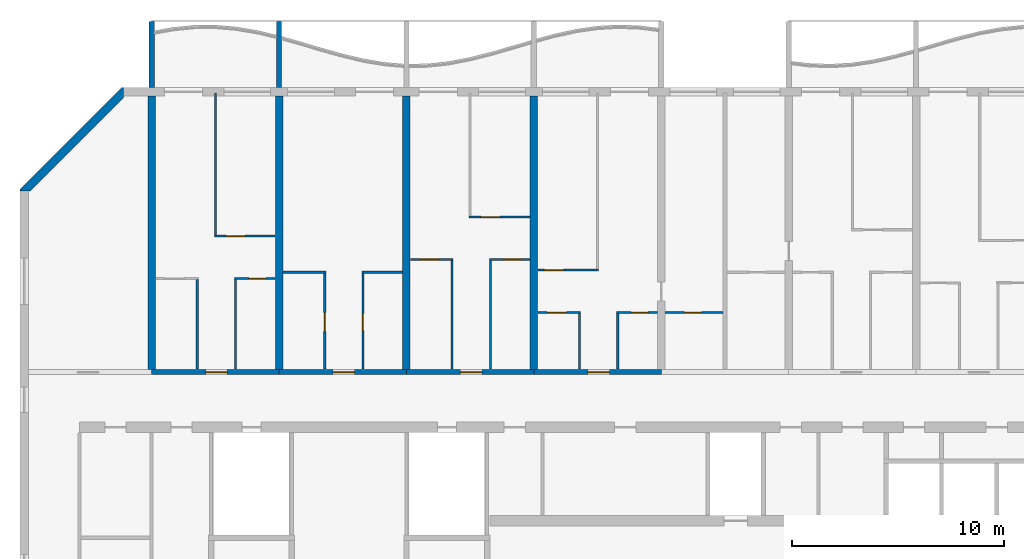
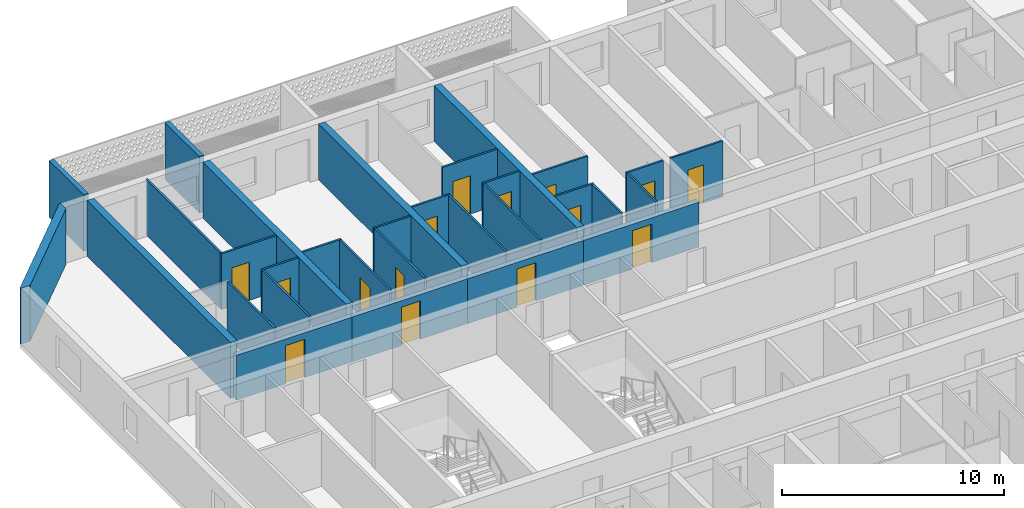
# One storey, part 9 of 24: 31 walls, 15 doors, 15 openings.
"""IFC4 building model written with IfcOpenShell, lengths in metres."""

from ifc_helpers import new_model, si_unit, direction, frame, frame_2d, origin, place, context, subcontext, project, spatial, polyline, rectangle, outline, extrude, source, transform, mapped, material, layer, layer_set, type_object, element, fill, save


model = new_model("IFC4")

# Units and contexts
model_context = context("Model", 3, precision=1e-05, world=origin(), true_north=direction((0.0, 1.0)))
body_context = subcontext(model_context, "Body", "Model", "MODEL_VIEW")
ifc_project = project(units=[si_unit("LENGTHUNIT", "METRE"), si_unit("AREAUNIT", "SQUARE_METRE"), si_unit("VOLUMEUNIT", "CUBIC_METRE"), si_unit("PLANEANGLEUNIT", "RADIAN"), si_unit("MASSUNIT", "GRAM", prefix="KILO")], contexts=[model_context])

# Site, building, storey
site_placement = place(None, origin())
site = spatial("IfcSite", under=ifc_project, at=site_placement, CompositionType="ELEMENT")
building_placement = place(site_placement, origin())
building = spatial("IfcBuilding", under=site, at=building_placement, Name="Poui Terraces", CompositionType="ELEMENT")
storey_placement = place(building_placement, frame((0.0, 0.0, 109.199951171875)))
storey = spatial("IfcBuildingStorey", under=building, at=storey_placement, Name="L30", CompositionType="ELEMENT", Elevation=109.199951171875)

# Wall, opening, door
ifc_material_1 = material(Name="Concrete 65 MPa", Category="concrete")
ifc_layer_1 = layer(ifc_material_1, 0.25)
ifc_layer_set_1 = layer_set([ifc_layer_1], Name="Concrete 65 MPa")
wall_type_1 = type_object("IfcWallType", Name="CORRIDOR WALL 250 65MPa", PredefinedType="SHEAR", material=ifc_layer_set_1)
wall_1_placement = place(storey_placement, frame((18.0, 30.39990234375, 0.0), z_axis=(0.0, 0.0, 1.0), x_axis=(1.0, 0.0, 0.0)))
wall_1 = element("IfcWall", 1, at=wall_1_placement, inside=storey, type_object=wall_type_1, Name="CORRIDOR WALL LINE E BAY 2", PredefinedType="SHEAR", context=body_context, shape_type="SweptSolid", body=[
    extrude(rectangle(XDim=6.0, YDim=0.25, at=frame_2d((3.0, 0.0))), origin(), (0.0, 0.0, 1.0), 2.4599609375),
])
opening_1_placement = place(wall_1_placement, frame((2.550048828125, 0.0, 0.0)))
opening_1 = element("IfcOpeningElement", 2, at=opening_1_placement, cuts=wall_1, Name="Opening FD30S", PredefinedType="OPENING", context=body_context, shape_type="SweptSolid", body=[
    extrude(rectangle(XDim=1.0, YDim=2.10009765625, at=frame_2d((0.5, 1.050048828125))), frame((0.0, 0.135009765625, 0.0), z_axis=(0.0, -1.0, 0.0), x_axis=(1.0, 0.0, 0.0)), (0.0, 0.0, 1.0), 0.27001953125),
])
ifc_material_2 = material(Name="Steel fire door", Category="steel")
door_type_1 = type_object("IfcDoorType", Name="FLAT ENTRANCE DOOR 1000 X 2100", OperationType="NOTDEFINED", PredefinedType="DOOR", material=ifc_material_2)
door_1_placement = place(opening_1_placement, origin())
door_1 = element("IfcDoor", 3, at=door_1_placement, inside=storey, type_object=door_type_1, Name="FLAT ENTRANCE DOOR 032", OperationType="SINGLE_SWING_RIGHT", OverallHeight=2.10009765625, OverallWidth=1.0, PredefinedType="DOOR", context=body_context, shape_type="SweptSolid", body=[
    extrude(rectangle(XDim=1.0, YDim=2.10009765625, at=frame_2d((0.5, 1.050048828125))), frame((0.0, 0.02490234375, 0.0), z_axis=(0.0, -1.0, 0.0), x_axis=(1.0, 0.0, 0.0)), (0.0, 0.0, 1.0), 0.050048828125),
])
fill(opening_1, door_1)

wall_2_placement = place(storey_placement, frame((24.0, 30.39990234375, 0.0), z_axis=(0.0, 0.0, 1.0), x_axis=(1.0, 0.0, 0.0)))
wall_2 = element("IfcWall", 4, at=wall_2_placement, inside=storey, type_object=wall_type_1, Name="CORRIDOR WALL LINE E BAY 3", PredefinedType="SHEAR", context=body_context, shape_type="SweptSolid", body=[
    extrude(rectangle(XDim=6.0, YDim=0.25, at=frame_2d((3.0, 0.0))), origin(), (0.0, 0.0, 1.0), 2.4599609375),
])
opening_2_placement = place(wall_2_placement, frame((2.550048828125, 0.0, 0.0)))
opening_2 = element("IfcOpeningElement", 5, at=opening_2_placement, cuts=wall_2, Name="Opening FD30S", PredefinedType="OPENING", context=body_context, shape_type="SweptSolid", body=[
    extrude(rectangle(XDim=1.0, YDim=2.10009765625, at=frame_2d((0.5, 1.050048828125))), frame((0.0, 0.135009765625, 0.0), z_axis=(0.0, -1.0, 0.0), x_axis=(1.0, 0.0, 0.0)), (0.0, 0.0, 1.0), 0.27001953125),
])
door_2_placement = place(opening_2_placement, origin())
door_2 = element("IfcDoor", 6, at=door_2_placement, inside=storey, type_object=door_type_1, Name="FLAT ENTRANCE DOOR 036", OperationType="SINGLE_SWING_RIGHT", OverallHeight=2.10009765625, OverallWidth=1.0, PredefinedType="DOOR", context=body_context, shape_type="SweptSolid", body=[
    extrude(rectangle(XDim=1.0, YDim=2.10009765625, at=frame_2d((0.5, 1.050048828125))), frame((0.0, 0.02490234375, 0.0), z_axis=(0.0, -1.0, 0.0), x_axis=(1.0, 0.0, 0.0)), (0.0, 0.0, 1.0), 0.050048828125),
])
fill(opening_2, door_2)

wall_3_placement = place(storey_placement, frame((30.0, 30.39990234375, 0.0), z_axis=(0.0, 0.0, 1.0), x_axis=(1.0, 0.0, 0.0)))
wall_3 = element("IfcWall", 7, at=wall_3_placement, inside=storey, type_object=wall_type_1, Name="CORRIDOR WALL LINE E BAY 4", PredefinedType="SHEAR", context=body_context, shape_type="SweptSolid", body=[
    extrude(rectangle(XDim=6.0, YDim=0.25, at=frame_2d((3.0, 0.0))), origin(), (0.0, 0.0, 1.0), 2.4599609375),
])
opening_3_placement = place(wall_3_placement, frame((2.550048828125, 0.0, 0.0)))
opening_3 = element("IfcOpeningElement", 8, at=opening_3_placement, cuts=wall_3, Name="Opening FD30S", PredefinedType="OPENING", context=body_context, shape_type="SweptSolid", body=[
    extrude(rectangle(XDim=1.0, YDim=2.10009765625, at=frame_2d((0.5, 1.050048828125))), frame((0.0, 0.135009765625, 0.0), z_axis=(0.0, -1.0, 0.0), x_axis=(1.0, 0.0, 0.0)), (0.0, 0.0, 1.0), 0.27001953125),
])
door_3_placement = place(opening_3_placement, origin())
door_3 = element("IfcDoor", 9, at=door_3_placement, inside=storey, type_object=door_type_1, Name="FLAT ENTRANCE DOOR 039", OperationType="SINGLE_SWING_RIGHT", OverallHeight=2.10009765625, OverallWidth=1.0, PredefinedType="DOOR", context=body_context, shape_type="SweptSolid", body=[
    extrude(rectangle(XDim=1.0, YDim=2.10009765625, at=frame_2d((0.5, 1.050048828125))), frame((0.0, 0.02490234375, 0.0), z_axis=(0.0, -1.0, 0.0), x_axis=(1.0, 0.0, 0.0)), (0.0, 0.0, 1.0), 0.050048828125),
])
fill(opening_3, door_3)

wall_4_placement = place(storey_placement, frame((36.0, 30.39990234375, 0.0), z_axis=(0.0, 0.0, 1.0), x_axis=(1.0, 0.0, 0.0)))
wall_4 = element("IfcWall", 10, at=wall_4_placement, inside=storey, type_object=wall_type_1, Name="CORRIDOR WALL LINE E BAY 5", PredefinedType="SHEAR", context=body_context, shape_type="SweptSolid", body=[
    extrude(rectangle(XDim=6.0, YDim=0.25, at=frame_2d((3.0, 0.0))), origin(), (0.0, 0.0, 1.0), 2.4599609375),
])
opening_4_placement = place(wall_4_placement, frame((2.550048828125, 0.0, 0.0)))
opening_4 = element("IfcOpeningElement", 11, at=opening_4_placement, cuts=wall_4, Name="Opening FD30S", PredefinedType="OPENING", context=body_context, shape_type="SweptSolid", body=[
    extrude(rectangle(XDim=1.0, YDim=2.10009765625, at=frame_2d((0.5, 1.050048828125))), frame((0.0, 0.135009765625, 0.0), z_axis=(0.0, -1.0, 0.0), x_axis=(1.0, 0.0, 0.0)), (0.0, 0.0, 1.0), 0.27001953125),
])
door_4_placement = place(opening_4_placement, origin())
door_4 = element("IfcDoor", 12, at=door_4_placement, inside=storey, type_object=door_type_1, Name="FLAT ENTRANCE DOOR 045", OperationType="SINGLE_SWING_RIGHT", OverallHeight=2.10009765625, OverallWidth=1.0, PredefinedType="DOOR", context=body_context, shape_type="SweptSolid", body=[
    extrude(rectangle(XDim=1.0, YDim=2.10009765625, at=frame_2d((0.5, 1.050048828125))), frame((0.0, 0.02490234375, 0.0), z_axis=(0.0, -1.0, 0.0), x_axis=(1.0, 0.0, 0.0)), (0.0, 0.0, 1.0), 0.050048828125),
])
fill(opening_4, door_4)

# Walls
ifc_layer_2 = layer(ifc_material_1, 0.35009765625)
ifc_layer_set_2 = layer_set([ifc_layer_2], Name="Concrete 65 MPa")
wall_type_2 = type_object("IfcWallType", Name="CROSS WALL 350 65MPa", PredefinedType="SHEAR", material=ifc_layer_set_2)
for number, where, z_axis, x_axis, name in (
    (13, (18.0, 30.52490234375, 0.0), (0.0, 0.0, 1.0), (0.0, 1.0, 0.0), "CROSS WALL LINE 4 NORTH"),
    (14, (24.0, 30.52490234375, 0.0), (0.0, 0.0, 1.0), (0.0, 1.0, 0.0), "CROSS WALL LINE 5 NORTH"),
    (15, (30.0, 30.52490234375, 0.0), (0.0, 0.0, 1.0), (0.0, 1.0, 0.0), "CROSS WALL LINE 6 NORTH"),
    (16, (36.0, 30.52490234375, 0.0), (0.0, 0.0, 1.0), (0.0, 1.0, 0.0), "CROSS WALL LINE 7 NORTH"),
):
    element("IfcWall", number, at=place(storey_placement, frame(where, z_axis=z_axis, x_axis=x_axis)), inside=storey, type_object=wall_type_2, Name=name, PredefinedType="SHEAR", context=body_context, shape_type="SweptSolid", body=[
        extrude(rectangle(XDim=12.875, YDim=0.35009765625, at=frame_2d((6.4375, 0.0))), origin(), (0.0, 0.0, 1.0), 3.06005859375),
    ])

# Wall, opening, door
ifc_material_3 = material(Name="Plasterboard partition")
ifc_layer_3 = layer(ifc_material_3, 0.10009765625)
ifc_layer_set_3 = layer_set([ifc_layer_3], Name="Plasterboard partition")
wall_type_3 = type_object("IfcWallType", Name="FLAT PARTITION 100", PredefinedType="PARTITIONING", material=ifc_layer_set_3)
wall_5_placement = place(storey_placement, frame((36.18505859375, 33.199951171875, 0.0), z_axis=(0.0, 0.0, 1.0), x_axis=(1.0, 0.0, 0.0)))
wall_5 = element("IfcWall", 17, at=wall_5_placement, inside=storey, type_object=wall_type_3, Name="FLAT PARTITION 100", PredefinedType="PARTITIONING", context=body_context, shape_type="SweptSolid", body=[
    extrude(rectangle(XDim=2.014892578125, YDim=0.10009765625, at=frame_2d((1.00732421875, 0.0))), origin(), (0.0, 0.0, 1.0), 3.06005859375),
])
opening_5_placement = place(wall_5_placement, frame((0.43994140625, 0.0, 0.0)))
opening_5 = element("IfcOpeningElement", 18, at=opening_5_placement, cuts=wall_5, Name="Opening D90", PredefinedType="OPENING", context=body_context, shape_type="SweptSolid", body=[
    extrude(rectangle(XDim=0.89990234375, YDim=2.10009765625, at=frame_2d((0.449951171875, 1.050048828125))), frame((0.0, 0.06005859375, 0.0), z_axis=(0.0, -1.0, 0.0), x_axis=(1.0, 0.0, 0.0)), (0.0, 0.0, 1.0), 0.1201171875),
])
ifc_material_4 = material(Name="Solid core timber door", Category="wood")
door_type_2 = type_object("IfcDoorType", Name="INTERNAL DOOR 900 X 2100", OperationType="NOTDEFINED", PredefinedType="DOOR", material=ifc_material_4)
door_5_placement = place(opening_5_placement, frame((0.89990234375, 0.0, 0.0), z_axis=(0.0, 0.0, 1.0), x_axis=(-1.0, 0.0, 0.0)))
door_5 = element("IfcDoor", 19, at=door_5_placement, inside=storey, type_object=door_type_2, Name="INTERNAL DOOR 044", OperationType="SINGLE_SWING_RIGHT", OverallHeight=2.10009765625, OverallWidth=0.89990234375, PredefinedType="DOOR", context=body_context, shape_type="SweptSolid", body=[
    extrude(rectangle(XDim=0.89990234375, YDim=2.10009765625, at=frame_2d((0.449951171875, 1.050048828125))), frame((0.0, 0.02490234375, 0.0), z_axis=(0.0, -1.0, 0.0), x_axis=(1.0, 0.0, 0.0)), (0.0, 0.0, 1.0), 0.050048828125),
])
fill(opening_5, door_5)

wall_6_placement = place(storey_placement, frame((39.89990234375, 33.199951171875, 0.0), z_axis=(0.0, 0.0, 1.0), x_axis=(1.0, 0.0, 0.0)))
wall_6 = element("IfcWall", 20, at=wall_6_placement, inside=storey, type_object=wall_type_3, Name="FLAT PARTITION 100", PredefinedType="PARTITIONING", context=body_context, shape_type="SweptSolid", body=[
    extrude(rectangle(XDim=1.9150390625, YDim=0.10009765625, at=frame_2d((0.95751953125, 0.0))), origin(), (0.0, 0.0, 1.0), 3.06005859375),
])
opening_6_placement = place(wall_6_placement, frame((0.675048828125, 0.0, 0.0)))
opening_6 = element("IfcOpeningElement", 21, at=opening_6_placement, cuts=wall_6, Name="Opening D80", PredefinedType="OPENING", context=body_context, shape_type="SweptSolid", body=[
    extrude(rectangle(XDim=0.800048828125, YDim=2.10009765625, at=frame_2d((0.39990234375, 1.050048828125))), frame((0.0, 0.06005859375, 0.0), z_axis=(0.0, -1.0, 0.0), x_axis=(1.0, 0.0, 0.0)), (0.0, 0.0, 1.0), 0.1201171875),
])
door_type_3 = type_object("IfcDoorType", Name="BATHROOM, LAUNDRY AND STORE DOOR 800 X 2100", OperationType="NOTDEFINED", PredefinedType="DOOR", material=ifc_material_4)
door_6_placement = place(opening_6_placement, frame((0.800048828125, 0.0, 0.0), z_axis=(0.0, 0.0, 1.0), x_axis=(-1.0, 0.0, 0.0)))
door_6 = element("IfcDoor", 22, at=door_6_placement, inside=storey, type_object=door_type_3, Name="BATHROOM, LAUNDRY AND STORE DOOR 046", OperationType="SINGLE_SWING_LEFT", OverallHeight=2.10009765625, OverallWidth=0.800048828125, PredefinedType="DOOR", context=body_context, shape_type="SweptSolid", body=[
    extrude(rectangle(XDim=0.800048828125, YDim=2.10009765625, at=frame_2d((0.39990234375, 1.050048828125))), frame((0.0, 0.02490234375, 0.0), z_axis=(0.0, -1.0, 0.0), x_axis=(1.0, 0.0, 0.0)), (0.0, 0.0, 1.0), 0.050048828125),
])
fill(opening_6, door_6)

wall_7_placement = place(storey_placement, frame((42.18505859375, 33.199951171875, 0.0), z_axis=(0.0, 0.0, 1.0), x_axis=(1.0, 0.0, 0.0)))
wall_7 = element("IfcWall", 23, at=wall_7_placement, inside=storey, type_object=wall_type_3, Name="FLAT PARTITION 100", PredefinedType="PARTITIONING", context=body_context, shape_type="SweptSolid", body=[
    extrude(rectangle(XDim=2.71484375, YDim=0.10009765625, at=frame_2d((1.357421875, 0.0))), origin(), (0.0, 0.0, 1.0), 3.06005859375),
])
opening_7_placement = place(wall_7_placement, frame((0.9150390625, 0.0, 0.0)))
opening_7 = element("IfcOpeningElement", 24, at=opening_7_placement, cuts=wall_7, Name="Opening D80", PredefinedType="OPENING", context=body_context, shape_type="SweptSolid", body=[
    extrude(rectangle(XDim=0.800048828125, YDim=2.10009765625, at=frame_2d((0.39990234375, 1.050048828125))), frame((0.0, 0.06005859375, 0.0), z_axis=(0.0, -1.0, 0.0), x_axis=(1.0, 0.0, 0.0)), (0.0, 0.0, 1.0), 0.1201171875),
])
door_7_placement = place(opening_7_placement, frame((0.800048828125, 0.0, 0.0), z_axis=(0.0, 0.0, 1.0), x_axis=(-1.0, 0.0, 0.0)))
door_7 = element("IfcDoor", 25, at=door_7_placement, inside=storey, type_object=door_type_3, Name="BATHROOM, LAUNDRY AND STORE DOOR 042", OperationType="SINGLE_SWING_RIGHT", OverallHeight=2.10009765625, OverallWidth=0.800048828125, PredefinedType="DOOR", context=body_context, shape_type="SweptSolid", body=[
    extrude(rectangle(XDim=0.800048828125, YDim=2.10009765625, at=frame_2d((0.39990234375, 1.050048828125))), frame((0.0, 0.02490234375, 0.0), z_axis=(0.0, -1.0, 0.0), x_axis=(1.0, 0.0, 0.0)), (0.0, 0.0, 1.0), 0.050048828125),
])
fill(opening_7, door_7)

wall_8_placement = place(storey_placement, frame((21.89990234375, 34.800048828125, 0.0), z_axis=(0.0, 0.0, 1.0), x_axis=(1.0, 0.0, 0.0)))
wall_8 = element("IfcWall", 26, at=wall_8_placement, inside=storey, type_object=wall_type_3, Name="FLAT PARTITION 100", PredefinedType="PARTITIONING", context=body_context, shape_type="SweptSolid", body=[
    extrude(rectangle(XDim=1.9150390625, YDim=0.10009765625, at=frame_2d((0.95751953125, 0.0))), origin(), (0.0, 0.0, 1.0), 3.06005859375),
])
opening_8_placement = place(wall_8_placement, frame((0.675048828125, 0.0, 0.0)))
opening_8 = element("IfcOpeningElement", 27, at=opening_8_placement, cuts=wall_8, Name="Opening D80", PredefinedType="OPENING", context=body_context, shape_type="SweptSolid", body=[
    extrude(rectangle(XDim=0.800048828125, YDim=2.10009765625, at=frame_2d((0.39990234375, 1.050048828125))), frame((0.0, 0.06005859375, 0.0), z_axis=(0.0, -1.0, 0.0), x_axis=(1.0, 0.0, 0.0)), (0.0, 0.0, 1.0), 0.1201171875),
])
door_8_placement = place(opening_8_placement, frame((0.800048828125, 0.0, 0.0), z_axis=(0.0, 0.0, 1.0), x_axis=(-1.0, 0.0, 0.0)))
door_8 = element("IfcDoor", 28, at=door_8_placement, inside=storey, type_object=door_type_3, Name="BATHROOM, LAUNDRY AND STORE DOOR 034", OperationType="SINGLE_SWING_RIGHT", OverallHeight=2.10009765625, OverallWidth=0.800048828125, PredefinedType="DOOR", context=body_context, shape_type="SweptSolid", body=[
    extrude(rectangle(XDim=0.800048828125, YDim=2.10009765625, at=frame_2d((0.39990234375, 1.050048828125))), frame((0.0, 0.02490234375, 0.0), z_axis=(0.0, -1.0, 0.0), x_axis=(1.0, 0.0, 0.0)), (0.0, 0.0, 1.0), 0.050048828125),
])
fill(opening_8, door_8)

# Walls
wall_9_placement = place(storey_placement, frame((24.18505859375, 35.10009765625, 0.0), z_axis=(0.0, 0.0, 1.0), x_axis=(1.0, 0.0, 0.0)))
element("IfcWall", 29, at=wall_9_placement, inside=storey, type_object=wall_type_3, Name="FLAT PARTITION 100", PredefinedType="PARTITIONING", context=body_context, shape_type="SweptSolid", body=[
    extrude(rectangle(XDim=2.014892578125, YDim=0.10009765625, at=frame_2d((1.00732421875, 0.0))), origin(), (0.0, 0.0, 1.0), 3.06005859375),
])
wall_10_placement = place(storey_placement, frame((27.89990234375, 35.10009765625, 0.0), z_axis=(0.0, 0.0, 1.0), x_axis=(1.0, 0.0, 0.0)))
element("IfcWall", 30, at=wall_10_placement, inside=storey, type_object=wall_type_3, Name="FLAT PARTITION 100", PredefinedType="PARTITIONING", context=body_context, shape_type="SweptSolid", body=[
    extrude(rectangle(XDim=1.9150390625, YDim=0.10009765625, at=frame_2d((0.95751953125, 0.0))), origin(), (0.0, 0.0, 1.0), 3.06005859375),
])

# Wall, opening, door
wall_11_placement = place(storey_placement, frame((36.18505859375, 35.199951171875, 0.0), z_axis=(0.0, 0.0, 1.0), x_axis=(1.0, 0.0, 0.0)))
wall_11 = element("IfcWall", 31, at=wall_11_placement, inside=storey, type_object=wall_type_3, Name="FLAT PARTITION 100", PredefinedType="PARTITIONING", context=body_context, shape_type="SweptSolid", body=[
    extrude(rectangle(XDim=2.864990234375, YDim=0.10009765625, at=frame_2d((1.4326171875, 0.0))), origin(), (0.0, 0.0, 1.0), 3.06005859375),
])
opening_9_placement = place(wall_11_placement, frame((0.31494140625, 0.0, 0.0)))
opening_9 = element("IfcOpeningElement", 32, at=opening_9_placement, cuts=wall_11, Name="Opening D90", PredefinedType="OPENING", context=body_context, shape_type="SweptSolid", body=[
    extrude(rectangle(XDim=0.89990234375, YDim=2.10009765625, at=frame_2d((0.449951171875, 1.050048828125))), frame((0.0, 0.06005859375, 0.0), z_axis=(0.0, -1.0, 0.0), x_axis=(1.0, 0.0, 0.0)), (0.0, 0.0, 1.0), 0.1201171875),
])
door_9_placement = place(opening_9_placement, frame((0.89990234375, 0.0, 0.0), z_axis=(0.0, 0.0, 1.0), x_axis=(-1.0, 0.0, 0.0)))
door_9 = element("IfcDoor", 33, at=door_9_placement, inside=storey, type_object=door_type_2, Name="INTERNAL DOOR 043", OperationType="SINGLE_SWING_LEFT", OverallHeight=2.10009765625, OverallWidth=0.89990234375, PredefinedType="DOOR", context=body_context, shape_type="SweptSolid", body=[
    extrude(rectangle(XDim=0.89990234375, YDim=2.10009765625, at=frame_2d((0.449951171875, 1.050048828125))), frame((0.0, 0.02490234375, 0.0), z_axis=(0.0, -1.0, 0.0), x_axis=(1.0, 0.0, 0.0)), (0.0, 0.0, 1.0), 0.050048828125),
])
fill(opening_9, door_9)

wall_12_placement = place(storey_placement, frame((30.18505859375, 35.699951171875, 0.0), z_axis=(0.0, 0.0, 1.0), x_axis=(1.0, 0.0, 0.0)))
wall_12 = element("IfcWall", 34, at=wall_12_placement, inside=storey, type_object=wall_type_3, Name="FLAT PARTITION 100", PredefinedType="PARTITIONING", context=body_context, shape_type="SweptSolid", body=[
    extrude(rectangle(XDim=2.014892578125, YDim=0.10009765625, at=frame_2d((1.00732421875, 0.0))), origin(), (0.0, 0.0, 1.0), 3.06005859375),
])
opening_10_placement = place(wall_12_placement, frame((0.43994140625, 0.0, 0.0)))
opening_10 = element("IfcOpeningElement", 35, at=opening_10_placement, cuts=wall_12, Name="Opening D90", PredefinedType="OPENING", context=body_context, shape_type="SweptSolid", body=[
    extrude(rectangle(XDim=0.89990234375, YDim=2.10009765625, at=frame_2d((0.449951171875, 1.050048828125))), frame((0.0, 0.06005859375, 0.0), z_axis=(0.0, -1.0, 0.0), x_axis=(1.0, 0.0, 0.0)), (0.0, 0.0, 1.0), 0.1201171875),
])
door_10_placement = place(opening_10_placement, frame((0.89990234375, 0.0, 0.0), z_axis=(0.0, 0.0, 1.0), x_axis=(-1.0, 0.0, 0.0)))
door_10 = element("IfcDoor", 36, at=door_10_placement, inside=storey, type_object=door_type_2, Name="INTERNAL DOOR 038", OperationType="SINGLE_SWING_LEFT", OverallHeight=2.10009765625, OverallWidth=0.89990234375, PredefinedType="DOOR", context=body_context, shape_type="SweptSolid", body=[
    extrude(rectangle(XDim=0.89990234375, YDim=2.10009765625, at=frame_2d((0.449951171875, 1.050048828125))), frame((0.0, 0.02490234375, 0.0), z_axis=(0.0, -1.0, 0.0), x_axis=(1.0, 0.0, 0.0)), (0.0, 0.0, 1.0), 0.050048828125),
])
fill(opening_10, door_10)

wall_13_placement = place(storey_placement, frame((33.89990234375, 35.699951171875, 0.0), z_axis=(0.0, 0.0, 1.0), x_axis=(1.0, 0.0, 0.0)))
wall_13 = element("IfcWall", 37, at=wall_13_placement, inside=storey, type_object=wall_type_3, Name="FLAT PARTITION 100", PredefinedType="PARTITIONING", context=body_context, shape_type="SweptSolid", body=[
    extrude(rectangle(XDim=1.9150390625, YDim=0.10009765625, at=frame_2d((0.95751953125, 0.0))), origin(), (0.0, 0.0, 1.0), 3.06005859375),
])
opening_11_placement = place(wall_13_placement, frame((0.675048828125, 0.0, 0.0)))
opening_11 = element("IfcOpeningElement", 38, at=opening_11_placement, cuts=wall_13, Name="Opening D80", PredefinedType="OPENING", context=body_context, shape_type="SweptSolid", body=[
    extrude(rectangle(XDim=0.800048828125, YDim=2.10009765625, at=frame_2d((0.39990234375, 1.050048828125))), frame((0.0, 0.06005859375, 0.0), z_axis=(0.0, -1.0, 0.0), x_axis=(1.0, 0.0, 0.0)), (0.0, 0.0, 1.0), 0.1201171875),
])
door_11_placement = place(opening_11_placement, frame((0.800048828125, 0.0, 0.0), z_axis=(0.0, 0.0, 1.0), x_axis=(-1.0, 0.0, 0.0)))
door_11 = element("IfcDoor", 39, at=door_11_placement, inside=storey, type_object=door_type_3, Name="BATHROOM, LAUNDRY AND STORE DOOR 041", OperationType="SINGLE_SWING_RIGHT", OverallHeight=2.10009765625, OverallWidth=0.800048828125, PredefinedType="DOOR", context=body_context, shape_type="SweptSolid", body=[
    extrude(rectangle(XDim=0.800048828125, YDim=2.10009765625, at=frame_2d((0.39990234375, 1.050048828125))), frame((0.0, 0.02490234375, 0.0), z_axis=(0.0, -1.0, 0.0), x_axis=(1.0, 0.0, 0.0)), (0.0, 0.0, 1.0), 0.050048828125),
])
fill(opening_11, door_11)

wall_14_placement = place(storey_placement, frame((20.949951171875, 36.800048828125, 0.0), z_axis=(0.0, 0.0, 1.0), x_axis=(1.0, 0.0, 0.0)))
wall_14 = element("IfcWall", 40, at=wall_14_placement, inside=storey, type_object=wall_type_3, Name="FLAT PARTITION 100", PredefinedType="PARTITIONING", context=body_context, shape_type="SweptSolid", body=[
    extrude(rectangle(XDim=2.864990234375, YDim=0.10009765625, at=frame_2d((1.4326171875, 0.0))), origin(), (0.0, 0.0, 1.0), 3.06005859375),
])
opening_12_placement = place(wall_14_placement, frame((0.550048828125, 0.0, 0.0)))
opening_12 = element("IfcOpeningElement", 41, at=opening_12_placement, cuts=wall_14, Name="Opening D90", PredefinedType="OPENING", context=body_context, shape_type="SweptSolid", body=[
    extrude(rectangle(XDim=0.89990234375, YDim=2.10009765625, at=frame_2d((0.449951171875, 1.050048828125))), frame((0.0, 0.06005859375, 0.0), z_axis=(0.0, -1.0, 0.0), x_axis=(1.0, 0.0, 0.0)), (0.0, 0.0, 1.0), 0.1201171875),
])
door_12_placement = place(opening_12_placement, frame((0.89990234375, 0.0, 0.0), z_axis=(0.0, 0.0, 1.0), x_axis=(-1.0, 0.0, 0.0)))
door_12 = element("IfcDoor", 42, at=door_12_placement, inside=storey, type_object=door_type_2, Name="INTERNAL DOOR 033", OperationType="SINGLE_SWING_LEFT", OverallHeight=2.10009765625, OverallWidth=0.89990234375, PredefinedType="DOOR", context=body_context, shape_type="SweptSolid", body=[
    extrude(rectangle(XDim=0.89990234375, YDim=2.10009765625, at=frame_2d((0.449951171875, 1.050048828125))), frame((0.0, 0.02490234375, 0.0), z_axis=(0.0, -1.0, 0.0), x_axis=(1.0, 0.0, 0.0)), (0.0, 0.0, 1.0), 0.050048828125),
])
fill(opening_12, door_12)

wall_15_placement = place(storey_placement, frame((32.949951171875, 37.699951171875, 0.0), z_axis=(0.0, 0.0, 1.0), x_axis=(1.0, 0.0, 0.0)))
wall_15 = element("IfcWall", 43, at=wall_15_placement, inside=storey, type_object=wall_type_3, Name="FLAT PARTITION 100", PredefinedType="PARTITIONING", context=body_context, shape_type="SweptSolid", body=[
    extrude(rectangle(XDim=2.864990234375, YDim=0.10009765625, at=frame_2d((1.4326171875, 0.0))), origin(), (0.0, 0.0, 1.0), 3.06005859375),
])
opening_13_placement = place(wall_15_placement, frame((0.550048828125, 0.0, 0.0)))
opening_13 = element("IfcOpeningElement", 44, at=opening_13_placement, cuts=wall_15, Name="Opening D90", PredefinedType="OPENING", context=body_context, shape_type="SweptSolid", body=[
    extrude(rectangle(XDim=0.89990234375, YDim=2.10009765625, at=frame_2d((0.449951171875, 1.050048828125))), frame((0.0, 0.06005859375, 0.0), z_axis=(0.0, -1.0, 0.0), x_axis=(1.0, 0.0, 0.0)), (0.0, 0.0, 1.0), 0.1201171875),
])
door_13_placement = place(opening_13_placement, origin())
door_13 = element("IfcDoor", 45, at=door_13_placement, inside=storey, type_object=door_type_2, Name="INTERNAL DOOR 040", OperationType="SINGLE_SWING_LEFT", OverallHeight=2.10009765625, OverallWidth=0.89990234375, PredefinedType="DOOR", context=body_context, shape_type="SweptSolid", body=[
    extrude(rectangle(XDim=0.89990234375, YDim=2.10009765625, at=frame_2d((0.449951171875, 1.050048828125))), frame((0.0, 0.02490234375, 0.0), z_axis=(0.0, -1.0, 0.0), x_axis=(1.0, 0.0, 0.0)), (0.0, 0.0, 1.0), 0.050048828125),
])
fill(opening_13, door_13)

# Walls
wall_16_placement = place(storey_placement, frame((20.14990234375, 30.534912109375, 0.0), z_axis=(0.0, 0.0, 1.0), x_axis=(0.0, 1.0, 0.0)))
element("IfcWall", 46, at=wall_16_placement, inside=storey, type_object=wall_type_3, Name="FLAT PARTITION 100", PredefinedType="PARTITIONING", context=body_context, shape_type="SweptSolid", body=[
    extrude(rectangle(XDim=4.215087890625, YDim=0.10009765625, at=frame_2d((2.107421875, 0.0))), origin(), (0.0, 0.0, 1.0), 3.06005859375),
])
wall_17_placement = place(storey_placement, frame((21.0, 36.85009765625, 0.0), z_axis=(0.0, 0.0, 1.0), x_axis=(0.0, 1.0, 0.0)))
element("IfcWall", 47, at=wall_17_placement, inside=storey, type_object=wall_type_3, Name="FLAT PARTITION 100", PredefinedType="PARTITIONING", context=body_context, shape_type="SweptSolid", body=[
    extrude(rectangle(XDim=6.68994140625, YDim=0.10009765625, at=frame_2d((3.344970703125, 0.0))), origin(), (0.0, 0.0, 1.0), 3.06005859375),
])
wall_18_placement = place(storey_placement, frame((21.949951171875, 30.534912109375, 0.0), z_axis=(0.0, 0.0, 1.0), x_axis=(0.0, 1.0, 0.0)))
element("IfcWall", 48, at=wall_18_placement, inside=storey, type_object=wall_type_3, Name="FLAT PARTITION 100", PredefinedType="PARTITIONING", context=body_context, shape_type="SweptSolid", body=[
    extrude(rectangle(XDim=4.215087890625, YDim=0.10009765625, at=frame_2d((2.107421875, 0.0))), origin(), (0.0, 0.0, 1.0), 3.06005859375),
])

# Wall, opening, door
wall_19_placement = place(storey_placement, frame((26.14990234375, 30.534912109375, 0.0), z_axis=(0.0, 0.0, 1.0), x_axis=(0.0, 1.0, 0.0)))
wall_19 = element("IfcWall", 49, at=wall_19_placement, inside=storey, type_object=wall_type_3, Name="FLAT PARTITION 100", PredefinedType="PARTITIONING", context=body_context, shape_type="SweptSolid", body=[
    extrude(rectangle(XDim=4.51513671875, YDim=0.10009765625, at=frame_2d((2.257568359375, 0.0))), origin(), (0.0, 0.0, 1.0), 3.06005859375),
])
opening_14_placement = place(wall_19_placement, frame((1.764892578125, 0.0, 0.0)))
opening_14 = element("IfcOpeningElement", 50, at=opening_14_placement, cuts=wall_19, Name="Opening D90", PredefinedType="OPENING", context=body_context, shape_type="SweptSolid", body=[
    extrude(rectangle(XDim=0.89990234375, YDim=2.10009765625, at=frame_2d((0.449951171875, 1.050048828125))), frame((0.0, 0.06005859375, 0.0), z_axis=(0.0, -1.0, 0.0), x_axis=(1.0, 0.0, 0.0)), (0.0, 0.0, 1.0), 0.1201171875),
])
door_14_placement = place(opening_14_placement, origin())
door_14 = element("IfcDoor", 51, at=door_14_placement, inside=storey, type_object=door_type_2, Name="INTERNAL DOOR 035", OperationType="SINGLE_SWING_RIGHT", OverallHeight=2.10009765625, OverallWidth=0.89990234375, PredefinedType="DOOR", context=body_context, shape_type="SweptSolid", body=[
    extrude(rectangle(XDim=0.89990234375, YDim=2.10009765625, at=frame_2d((0.449951171875, 1.050048828125))), frame((0.0, 0.02490234375, 0.0), z_axis=(0.0, -1.0, 0.0), x_axis=(1.0, 0.0, 0.0)), (0.0, 0.0, 1.0), 0.050048828125),
])
fill(opening_14, door_14)

wall_20_placement = place(storey_placement, frame((27.949951171875, 30.534912109375, 0.0), z_axis=(0.0, 0.0, 1.0), x_axis=(0.0, 1.0, 0.0)))
wall_20 = element("IfcWall", 52, at=wall_20_placement, inside=storey, type_object=wall_type_3, Name="FLAT PARTITION 100", PredefinedType="PARTITIONING", context=body_context, shape_type="SweptSolid", body=[
    extrude(rectangle(XDim=4.51513671875, YDim=0.10009765625, at=frame_2d((2.257568359375, 0.0))), origin(), (0.0, 0.0, 1.0), 3.06005859375),
])
opening_15_placement = place(wall_20_placement, frame((1.81494140625, 0.0, 0.0)))
opening_15 = element("IfcOpeningElement", 53, at=opening_15_placement, cuts=wall_20, Name="Opening D80", PredefinedType="OPENING", context=body_context, shape_type="SweptSolid", body=[
    extrude(rectangle(XDim=0.800048828125, YDim=2.10009765625, at=frame_2d((0.39990234375, 1.050048828125))), frame((0.0, 0.06005859375, 0.0), z_axis=(0.0, -1.0, 0.0), x_axis=(1.0, 0.0, 0.0)), (0.0, 0.0, 1.0), 0.1201171875),
])
door_15_placement = place(opening_15_placement, frame((0.800048828125, 0.0, 0.0), z_axis=(0.0, 0.0, 1.0), x_axis=(-1.0, 0.0, 0.0)))
door_15 = element("IfcDoor", 54, at=door_15_placement, inside=storey, type_object=door_type_3, Name="BATHROOM, LAUNDRY AND STORE DOOR 037", OperationType="SINGLE_SWING_RIGHT", OverallHeight=2.10009765625, OverallWidth=0.800048828125, PredefinedType="DOOR", context=body_context, shape_type="SweptSolid", body=[
    extrude(rectangle(XDim=0.800048828125, YDim=2.10009765625, at=frame_2d((0.39990234375, 1.050048828125))), frame((0.0, 0.02490234375, 0.0), z_axis=(0.0, -1.0, 0.0), x_axis=(1.0, 0.0, 0.0)), (0.0, 0.0, 1.0), 0.050048828125),
])
fill(opening_15, door_15)

# Walls
for number, where, z_axis, x_axis, name in (
    (55, (32.14990234375, 30.534912109375, 0.0), (0.0, 0.0, 1.0), (0.0, 1.0, 0.0), "FLAT PARTITION 100"),
    (56, (33.949951171875, 30.534912109375, 0.0), (0.0, 0.0, 1.0), (0.0, 1.0, 0.0), "FLAT PARTITION 100"),
):
    element("IfcWall", number, at=place(storey_placement, frame(where, z_axis=z_axis, x_axis=x_axis)), inside=storey, type_object=wall_type_3, Name=name, PredefinedType="PARTITIONING", context=body_context, shape_type="SweptSolid", body=[
        extrude(rectangle(XDim=5.114990234375, YDim=0.10009765625, at=frame_2d((2.5576171875, 0.0))), origin(), (0.0, 0.0, 1.0), 3.06005859375),
    ])
for number, where, z_axis, x_axis, name in (
    (57, (38.14990234375, 30.534912109375, 0.0), (0.0, 0.0, 1.0), (0.0, 1.0, 0.0), "FLAT PARTITION 100"),
    (58, (39.949951171875, 30.534912109375, 0.0), (0.0, 0.0, 1.0), (0.0, 1.0, 0.0), "FLAT PARTITION 100"),
):
    element("IfcWall", number, at=place(storey_placement, frame(where, z_axis=z_axis, x_axis=x_axis)), inside=storey, type_object=wall_type_3, Name=name, PredefinedType="PARTITIONING", context=body_context, shape_type="SweptSolid", body=[
        extrude(rectangle(XDim=2.614990234375, YDim=0.10009765625, at=frame_2d((1.3076171875, 0.0))), origin(), (0.0, 0.0, 1.0), 3.06005859375),
    ])
ifc_material_5 = material(Name="Precast concrete 40 MPa", Category="concrete")
ifc_layer_4 = layer(ifc_material_5, 0.39990234375)
ifc_layer_set_4 = layer_set([ifc_layer_4], Name="Precast concrete 40 MPa")
wall_type_4 = type_object("IfcWallType", Name="TERRACOTTA CLAD CHAMFER WALL 400", PredefinedType="STANDARD", material=ifc_layer_set_4)
wall_21_placement = place(storey_placement, origin())
element("IfcWall", 59, at=wall_21_placement, inside=storey, type_object=wall_type_4, Name="CHAMFER WALL CH05", PredefinedType="STANDARD", context=body_context, shape_type="SweptSolid", body=[
    extrude(outline(polyline([(16.682861328125, 43.800048828125), (16.60009765625, 43.800048828125), (11.800048828125, 39.0), (11.800048828125, 38.917236328125), (12.28271484375, 38.917236328125), (16.682861328125, 43.317138671875), (16.682861328125, 43.800048828125)])), origin(), (0.0, 0.0, 1.0), 3.06005859375),
])
ifc_layer_5 = layer(ifc_material_5, 0.25)
ifc_layer_set_5 = layer_set([ifc_layer_5], Name="Precast concrete 40 MPa")
wall_type_5 = type_object("IfcWallType", Name="BALCONY FIN 250", PredefinedType="STANDARD", material=ifc_layer_set_5)
shared_shape = source(origin(), body_context, "Body", "SweptSolid", [
    extrude(outline(polyline([(0.0, 0.0), (0.25, 0.0), (0.25, 3.099853515625), (0.0, 3.099853515625), (0.0, 0.0)])), origin(), (0.0, 0.0, 1.0), 3.10009765625),
])
for number, where, name in (
    (60, (17.875, 43.800048828125, 0.0), "BALCONY FIN"),
    (61, (23.875, 43.800048828125, 0.0), "BALCONY FIN"),
):
    element("IfcWall", number, at=place(storey_placement, frame(where)), inside=storey, type_object=wall_type_5, Name=name, PredefinedType="STANDARD", context=body_context, shape_type="MappedRepresentation", body=[
        mapped(shared_shape, transform((0.0, 0.0, 0.0))),
    ])

save(model, "model.ifc")
